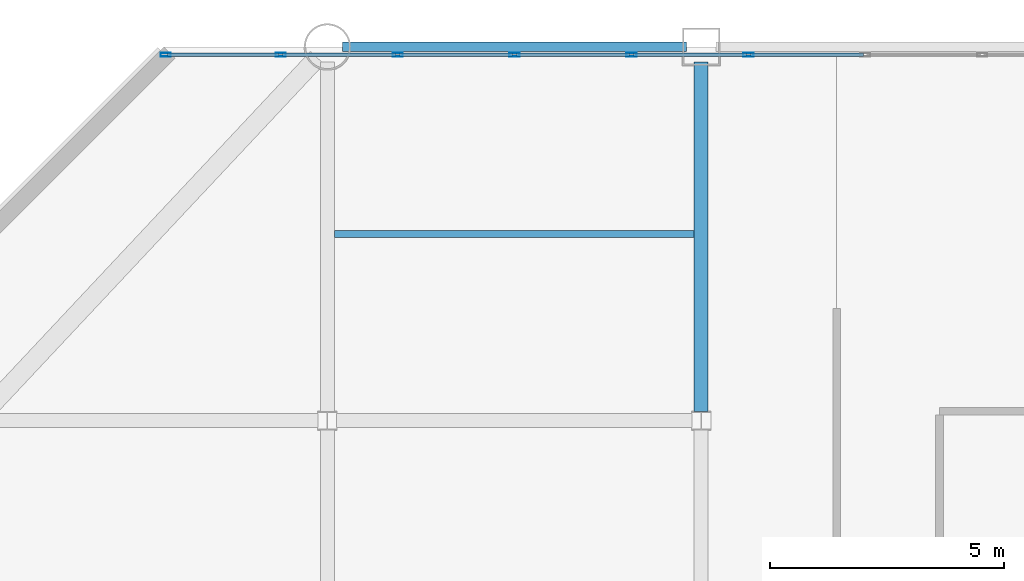
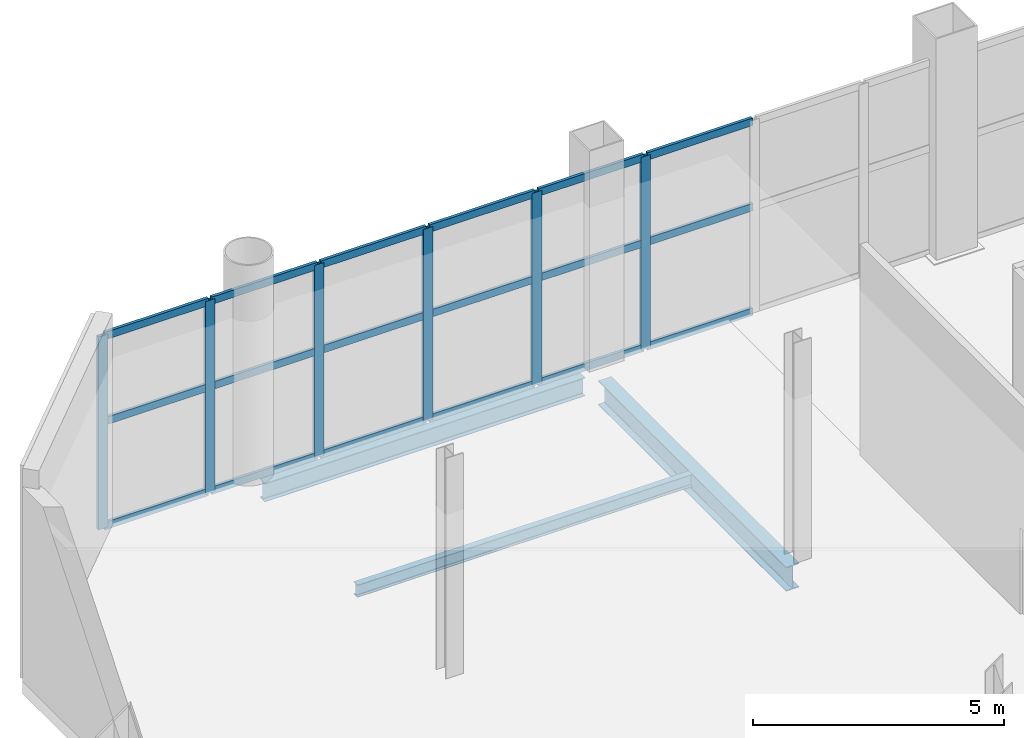
# One storey, part 14 of 21: 24 members, 3 beams, 1 element without a shape of its own.
"""IFC4 building model written with IfcOpenShell, lengths in metres."""

from ifc_helpers import new_model, si_unit, direction, frame, origin, origin_2d, place, context, subcontext, project, spatial, hollow_rectangle, i_section, extrude, material, layer, layer_set, material_profile, profile_set, type_object, element, aggregate, save


model = new_model("IFC4")

# Units and contexts
model_context = context("Model", 3, precision=1e-05, world=origin(), true_north=direction((0.0, 1.0)))
body_context = subcontext(model_context, "Body", "Model", "MODEL_VIEW")
ifc_project = project(units=[si_unit("LENGTHUNIT", "METRE"), si_unit("AREAUNIT", "SQUARE_METRE"), si_unit("VOLUMEUNIT", "CUBIC_METRE"), si_unit("PLANEANGLEUNIT", "RADIAN"), si_unit("MASSUNIT", "GRAM", prefix="KILO")], contexts=[model_context])

# Site, building, storey
site_placement = place(None, origin())
site = spatial("IfcSite", under=ifc_project, at=site_placement, CompositionType="ELEMENT")
building_placement = place(site_placement, origin())
building = spatial("IfcBuilding", under=site, at=building_placement, Name="Qianrong Seaharbour Tower", CompositionType="ELEMENT")
storey_placement = place(building_placement, frame((0.0, 0.0, 200.39990234375)))
storey = spatial("IfcBuildingStorey", under=building, at=storey_placement, Name="L48", CompositionType="ELEMENT", Elevation=200.39990234375)

# Beams
ifc_material_1 = material(Name="Structural steel SN490B", Category="steel")
ifc_material_profile_1 = material_profile(ifc_material_1, i_section(OverallWidth=0.300048828125, OverallDepth=0.587890625, WebThickness=0.011962890625, FlangeThickness=0.02001953125, FilletRadius=0.02392578125, at=origin_2d()), Name="H588x300x12x20")
ifc_profile_set_1 = profile_set([ifc_material_profile_1], Name="Structural steel SN490B")
beam_type_1 = type_object("IfcBeamType", Name="BM-G-588", PredefinedType="BEAM", material=ifc_profile_set_1)
beam_1_placement = place(storey_placement, frame((24.5, 44.199951171875, -0.593994140625), z_axis=(0.0, 1.0, 0.0), x_axis=(-1.0, 0.0, 0.0)))
element("IfcBeam", 1, at=beam_1_placement, inside=storey, type_object=beam_type_1, Name="L48 Primary Girder G4 GG-GH", PredefinedType="BEAM", context=body_context, shape_type="SweptSolid", body=[
    extrude(i_section(OverallWidth=0.300048828125, OverallDepth=0.587890625, WebThickness=0.011962890625, FlangeThickness=0.02001953125, FilletRadius=0.02392578125, at=origin_2d()), origin(), (0.0, 0.0, 1.0), 7.47998046875),
])
ifc_material_2 = material(Name="Structural steel SN400B", Category="steel")
ifc_material_profile_2 = material_profile(ifc_material_2, i_section(OverallWidth=0.14990234375, OverallDepth=0.300048828125, WebThickness=0.006591796875, FlangeThickness=0.009033203125, FilletRadius=0.012939453125, at=origin_2d()), Name="H300x150x6.5x9")
ifc_profile_set_2 = profile_set([ifc_material_profile_2], Name="Structural steel SN400B")
beam_type_2 = type_object("IfcBeamType", Name="BM-J-300", PredefinedType="JOIST", material=ifc_profile_set_2)
beam_2_placement = place(storey_placement, frame((16.64990234375, 48.0, -0.449951171875), z_axis=(1.0, 0.0, 0.0), x_axis=(0.0, 1.0, 0.0)))
element("IfcBeam", 2, at=beam_2_placement, inside=storey, type_object=beam_type_2, Name="L48 Composite Floor Joist G3-G4/GG-GH", PredefinedType="JOIST", context=body_context, shape_type="SweptSolid", body=[
    extrude(i_section(OverallWidth=0.14990234375, OverallDepth=0.300048828125, WebThickness=0.006591796875, FlangeThickness=0.009033203125, FilletRadius=0.012939453125, at=origin_2d()), origin(), (0.0, 0.0, 1.0), 7.7001953125),
])
ifc_material_profile_3 = material_profile(ifc_material_2, i_section(OverallWidth=0.199951171875, OverallDepth=0.449951171875, WebThickness=0.009033203125, FlangeThickness=0.013916015625, FilletRadius=0.01806640625, at=origin_2d()), Name="H450x200x9x14")
ifc_profile_set_3 = profile_set([ifc_material_profile_3], Name="Structural steel SN400B")
beam_type_3 = type_object("IfcBeamType", Name="BM-SP-450", PredefinedType="SPANDREL", material=ifc_profile_set_3)
beam_3_placement = place(storey_placement, frame((16.820068359375, 52.0, -0.52490234375), z_axis=(1.0, 0.0, 0.0), x_axis=(0.0, 1.0, 0.0)))
element("IfcBeam", 3, at=beam_3_placement, inside=storey, type_object=beam_type_3, Name="L48 Spandrel Girder GH G3-G4", PredefinedType="SPANDREL", context=body_context, shape_type="SweptSolid", body=[
    extrude(i_section(OverallWidth=0.199951171875, OverallDepth=0.449951171875, WebThickness=0.009033203125, FlangeThickness=0.013916015625, FilletRadius=0.01806640625, at=origin_2d()), origin(), (0.0, 0.0, 1.0), 7.35986328125),
])

# Curtain wall, members
ifc_material_3 = material(Name="Anodised aluminium 6063-T6 and laminated low-e glass", Category="aluminium")
ifc_layer = layer(ifc_material_3, 0.2099609375)
ifc_layer_set = layer_set([ifc_layer], Name="Anodised aluminium 6063-T6 and laminated low-e glass")
curtain_wall_type = type_object("IfcCurtainWallType", Name="CW-SYS-2", PredefinedType="NOTDEFINED", material=ifc_layer_set)
curtain_wall_placement = place(storey_placement, origin())
curtain_wall = element("IfcCurtainWall", 4, at=curtain_wall_placement, inside=storey, type_object=curtain_wall_type, Name="L48 Sky-Lobby Feature Curtain Wall NORTH_WING", PredefinedType="NOTDEFINED")
ifc_material_4 = material(Name="Extruded aluminium 6063-T6", Category="aluminium")
ifc_material_profile_4 = material_profile(ifc_material_4, hollow_rectangle(XDim=0.080078125, YDim=0.219970703125, WallThickness=0.0048828125, at=origin_2d()), Name="ALU-MUL-220x80x5")
ifc_profile_set_4 = profile_set([ifc_material_profile_4], Name="Extruded aluminium 6063-T6")
member_type_1 = type_object("IfcMemberType", Name="CW-MUL-220", PredefinedType="MULLION", material=ifc_profile_set_4)
member_1_placement = place(storey_placement, frame((13.0400390625, 51.830078125, 0.0), z_axis=(0.0, 0.0, 1.0), x_axis=(0.0, 1.0, 0.0)))
member_1 = element("IfcMember", 5, at=member_1_placement, type_object=member_type_1, Name="CW-2 mullion 1", PredefinedType="MULLION", context=body_context, shape_type="SweptSolid", body=[
    extrude(hollow_rectangle(XDim=0.080078125, YDim=0.219970703125, WallThickness=0.0048828125, at=origin_2d()), origin(), (0.0, 0.0, 1.0), 4.68505859375),
])
member_2_placement = place(storey_placement, frame((15.501708984375, 51.830078125, 0.0), z_axis=(0.0, 0.0, 1.0), x_axis=(0.0, 1.0, 0.0)))
member_2 = element("IfcMember", 6, at=member_2_placement, type_object=member_type_1, Name="CW-2 mullion 2", PredefinedType="MULLION", context=body_context, shape_type="SweptSolid", body=[
    extrude(hollow_rectangle(XDim=0.080078125, YDim=0.219970703125, WallThickness=0.0048828125, at=origin_2d()), origin(), (0.0, 0.0, 1.0), 4.68505859375),
])
member_3_placement = place(storey_placement, frame((18.003662109375, 51.830078125, 0.0), z_axis=(0.0, 0.0, 1.0), x_axis=(0.0, 1.0, 0.0)))
member_3 = element("IfcMember", 7, at=member_3_placement, type_object=member_type_1, Name="CW-2 mullion 3", PredefinedType="MULLION", context=body_context, shape_type="SweptSolid", body=[
    extrude(hollow_rectangle(XDim=0.080078125, YDim=0.219970703125, WallThickness=0.0048828125, at=origin_2d()), origin(), (0.0, 0.0, 1.0), 4.68505859375),
])
member_4_placement = place(storey_placement, frame((20.50537109375, 51.830078125, 0.0), z_axis=(0.0, 0.0, 1.0), x_axis=(0.0, 1.0, 0.0)))
member_4 = element("IfcMember", 8, at=member_4_placement, type_object=member_type_1, Name="CW-2 mullion 4", PredefinedType="MULLION", context=body_context, shape_type="SweptSolid", body=[
    extrude(hollow_rectangle(XDim=0.080078125, YDim=0.219970703125, WallThickness=0.0048828125, at=origin_2d()), origin(), (0.0, 0.0, 1.0), 4.68505859375),
])
member_5_placement = place(storey_placement, frame((23.00732421875, 51.830078125, 0.0), z_axis=(0.0, 0.0, 1.0), x_axis=(0.0, 1.0, 0.0)))
member_5 = element("IfcMember", 9, at=member_5_placement, type_object=member_type_1, Name="CW-2 mullion 5", PredefinedType="MULLION", context=body_context, shape_type="SweptSolid", body=[
    extrude(hollow_rectangle(XDim=0.080078125, YDim=0.219970703125, WallThickness=0.0048828125, at=origin_2d()), origin(), (0.0, 0.0, 1.0), 4.68505859375),
])
member_6_placement = place(storey_placement, frame((25.509033203125, 51.830078125, 0.0), z_axis=(0.0, 0.0, 1.0), x_axis=(0.0, 1.0, 0.0)))
member_6 = element("IfcMember", 10, at=member_6_placement, type_object=member_type_1, Name="CW-2 mullion 6", PredefinedType="MULLION", context=body_context, shape_type="SweptSolid", body=[
    extrude(hollow_rectangle(XDim=0.080078125, YDim=0.219970703125, WallThickness=0.0048828125, at=origin_2d()), origin(), (0.0, 0.0, 1.0), 4.68505859375),
])
ifc_material_profile_5 = material_profile(ifc_material_4, hollow_rectangle(XDim=0.070068359375, YDim=0.179931640625, WallThickness=0.00390625, at=origin_2d()), Name="ALU-TRN-180x70x4")
ifc_profile_set_5 = profile_set([ifc_material_profile_5], Name="Extruded aluminium 6063-T6")
member_type_2 = type_object("IfcMemberType", Name="CW-TRN-180", PredefinedType="USERDEFINED", material=ifc_profile_set_5)
member_7_placement = place(storey_placement, frame((13.080078125, 51.830078125, 0.03515625), z_axis=(1.0, 0.0, 0.0), x_axis=(0.0, 1.0, 0.0)))
member_7 = element("IfcMember", 11, at=member_7_placement, type_object=member_type_2, Name="CW-2 transom 1.1", ObjectType="TRANSOM", PredefinedType="USERDEFINED", context=body_context, shape_type="SweptSolid", body=[
    extrude(hollow_rectangle(XDim=0.070068359375, YDim=0.179931640625, WallThickness=0.00390625, at=origin_2d()), origin(), (0.0, 0.0, 1.0), 2.3818359375),
])
member_8_placement = place(storey_placement, frame((13.080078125, 51.830078125, 2.576904296875), z_axis=(1.0, 0.0, 0.0), x_axis=(0.0, 1.0, 0.0)))
member_8 = element("IfcMember", 12, at=member_8_placement, type_object=member_type_2, Name="CW-2 transom 1.2", ObjectType="TRANSOM", PredefinedType="USERDEFINED", context=body_context, shape_type="SweptSolid", body=[
    extrude(hollow_rectangle(XDim=0.070068359375, YDim=0.179931640625, WallThickness=0.00390625, at=origin_2d()), origin(), (0.0, 0.0, 1.0), 2.3818359375),
])
member_9_placement = place(storey_placement, frame((13.080078125, 51.830078125, 4.650146484375), z_axis=(1.0, 0.0, 0.0), x_axis=(0.0, 1.0, 0.0)))
member_9 = element("IfcMember", 13, at=member_9_placement, type_object=member_type_2, Name="CW-2 transom 1.3", ObjectType="TRANSOM", PredefinedType="USERDEFINED", context=body_context, shape_type="SweptSolid", body=[
    extrude(hollow_rectangle(XDim=0.070068359375, YDim=0.179931640625, WallThickness=0.00390625, at=origin_2d()), origin(), (0.0, 0.0, 1.0), 2.3818359375),
])
member_10_placement = place(storey_placement, frame((15.541748046875, 51.830078125, 0.03515625), z_axis=(1.0, 0.0, 0.0), x_axis=(0.0, 1.0, 0.0)))
member_10 = element("IfcMember", 14, at=member_10_placement, type_object=member_type_2, Name="CW-2 transom 2.1", ObjectType="TRANSOM", PredefinedType="USERDEFINED", context=body_context, shape_type="SweptSolid", body=[
    extrude(hollow_rectangle(XDim=0.070068359375, YDim=0.179931640625, WallThickness=0.00390625, at=origin_2d()), origin(), (0.0, 0.0, 1.0), 2.421875),
])
member_11_placement = place(storey_placement, frame((15.541748046875, 51.830078125, 2.576904296875), z_axis=(1.0, 0.0, 0.0), x_axis=(0.0, 1.0, 0.0)))
member_11 = element("IfcMember", 15, at=member_11_placement, type_object=member_type_2, Name="CW-2 transom 2.2", ObjectType="TRANSOM", PredefinedType="USERDEFINED", context=body_context, shape_type="SweptSolid", body=[
    extrude(hollow_rectangle(XDim=0.070068359375, YDim=0.179931640625, WallThickness=0.00390625, at=origin_2d()), origin(), (0.0, 0.0, 1.0), 2.421875),
])
member_12_placement = place(storey_placement, frame((15.541748046875, 51.830078125, 4.650146484375), z_axis=(1.0, 0.0, 0.0), x_axis=(0.0, 1.0, 0.0)))
member_12 = element("IfcMember", 16, at=member_12_placement, type_object=member_type_2, Name="CW-2 transom 2.3", ObjectType="TRANSOM", PredefinedType="USERDEFINED", context=body_context, shape_type="SweptSolid", body=[
    extrude(hollow_rectangle(XDim=0.070068359375, YDim=0.179931640625, WallThickness=0.00390625, at=origin_2d()), origin(), (0.0, 0.0, 1.0), 2.421875),
])
member_13_placement = place(storey_placement, frame((18.043701171875, 51.830078125, 0.03515625), z_axis=(1.0, 0.0, 0.0), x_axis=(0.0, 1.0, 0.0)))
member_13 = element("IfcMember", 17, at=member_13_placement, type_object=member_type_2, Name="CW-2 transom 3.1", ObjectType="TRANSOM", PredefinedType="USERDEFINED", context=body_context, shape_type="SweptSolid", body=[
    extrude(hollow_rectangle(XDim=0.070068359375, YDim=0.179931640625, WallThickness=0.00390625, at=origin_2d()), origin(), (0.0, 0.0, 1.0), 2.421875),
])
member_14_placement = place(storey_placement, frame((18.043701171875, 51.830078125, 2.576904296875), z_axis=(1.0, 0.0, 0.0), x_axis=(0.0, 1.0, 0.0)))
member_14 = element("IfcMember", 18, at=member_14_placement, type_object=member_type_2, Name="CW-2 transom 3.2", ObjectType="TRANSOM", PredefinedType="USERDEFINED", context=body_context, shape_type="SweptSolid", body=[
    extrude(hollow_rectangle(XDim=0.070068359375, YDim=0.179931640625, WallThickness=0.00390625, at=origin_2d()), origin(), (0.0, 0.0, 1.0), 2.421875),
])
member_15_placement = place(storey_placement, frame((18.043701171875, 51.830078125, 4.650146484375), z_axis=(1.0, 0.0, 0.0), x_axis=(0.0, 1.0, 0.0)))
member_15 = element("IfcMember", 19, at=member_15_placement, type_object=member_type_2, Name="CW-2 transom 3.3", ObjectType="TRANSOM", PredefinedType="USERDEFINED", context=body_context, shape_type="SweptSolid", body=[
    extrude(hollow_rectangle(XDim=0.070068359375, YDim=0.179931640625, WallThickness=0.00390625, at=origin_2d()), origin(), (0.0, 0.0, 1.0), 2.421875),
])
member_16_placement = place(storey_placement, frame((20.54541015625, 51.830078125, 0.03515625), z_axis=(1.0, 0.0, 0.0), x_axis=(0.0, 1.0, 0.0)))
member_16 = element("IfcMember", 20, at=member_16_placement, type_object=member_type_2, Name="CW-2 transom 4.1", ObjectType="TRANSOM", PredefinedType="USERDEFINED", context=body_context, shape_type="SweptSolid", body=[
    extrude(hollow_rectangle(XDim=0.070068359375, YDim=0.179931640625, WallThickness=0.00390625, at=origin_2d()), origin(), (0.0, 0.0, 1.0), 2.421875),
])
member_17_placement = place(storey_placement, frame((20.54541015625, 51.830078125, 2.576904296875), z_axis=(1.0, 0.0, 0.0), x_axis=(0.0, 1.0, 0.0)))
member_17 = element("IfcMember", 21, at=member_17_placement, type_object=member_type_2, Name="CW-2 transom 4.2", ObjectType="TRANSOM", PredefinedType="USERDEFINED", context=body_context, shape_type="SweptSolid", body=[
    extrude(hollow_rectangle(XDim=0.070068359375, YDim=0.179931640625, WallThickness=0.00390625, at=origin_2d()), origin(), (0.0, 0.0, 1.0), 2.421875),
])
member_18_placement = place(storey_placement, frame((20.54541015625, 51.830078125, 4.650146484375), z_axis=(1.0, 0.0, 0.0), x_axis=(0.0, 1.0, 0.0)))
member_18 = element("IfcMember", 22, at=member_18_placement, type_object=member_type_2, Name="CW-2 transom 4.3", ObjectType="TRANSOM", PredefinedType="USERDEFINED", context=body_context, shape_type="SweptSolid", body=[
    extrude(hollow_rectangle(XDim=0.070068359375, YDim=0.179931640625, WallThickness=0.00390625, at=origin_2d()), origin(), (0.0, 0.0, 1.0), 2.421875),
])
member_19_placement = place(storey_placement, frame((23.04736328125, 51.830078125, 0.03515625), z_axis=(1.0, 0.0, 0.0), x_axis=(0.0, 1.0, 0.0)))
member_19 = element("IfcMember", 23, at=member_19_placement, type_object=member_type_2, Name="CW-2 transom 5.1", ObjectType="TRANSOM", PredefinedType="USERDEFINED", context=body_context, shape_type="SweptSolid", body=[
    extrude(hollow_rectangle(XDim=0.070068359375, YDim=0.179931640625, WallThickness=0.00390625, at=origin_2d()), origin(), (0.0, 0.0, 1.0), 2.421630859375),
])
member_20_placement = place(storey_placement, frame((23.04736328125, 51.830078125, 2.576904296875), z_axis=(1.0, 0.0, 0.0), x_axis=(0.0, 1.0, 0.0)))
member_20 = element("IfcMember", 24, at=member_20_placement, type_object=member_type_2, Name="CW-2 transom 5.2", ObjectType="TRANSOM", PredefinedType="USERDEFINED", context=body_context, shape_type="SweptSolid", body=[
    extrude(hollow_rectangle(XDim=0.070068359375, YDim=0.179931640625, WallThickness=0.00390625, at=origin_2d()), origin(), (0.0, 0.0, 1.0), 2.421630859375),
])
member_21_placement = place(storey_placement, frame((23.04736328125, 51.830078125, 4.650146484375), z_axis=(1.0, 0.0, 0.0), x_axis=(0.0, 1.0, 0.0)))
member_21 = element("IfcMember", 25, at=member_21_placement, type_object=member_type_2, Name="CW-2 transom 5.3", ObjectType="TRANSOM", PredefinedType="USERDEFINED", context=body_context, shape_type="SweptSolid", body=[
    extrude(hollow_rectangle(XDim=0.070068359375, YDim=0.179931640625, WallThickness=0.00390625, at=origin_2d()), origin(), (0.0, 0.0, 1.0), 2.421630859375),
])
member_22_placement = place(storey_placement, frame((25.549072265625, 51.830078125, 0.03515625), z_axis=(1.0, 0.0, 0.0), x_axis=(0.0, 1.0, 0.0)))
member_22 = element("IfcMember", 26, at=member_22_placement, type_object=member_type_2, Name="CW-2 transom 6.1", ObjectType="TRANSOM", PredefinedType="USERDEFINED", context=body_context, shape_type="SweptSolid", body=[
    extrude(hollow_rectangle(XDim=0.070068359375, YDim=0.179931640625, WallThickness=0.00390625, at=origin_2d()), origin(), (0.0, 0.0, 1.0), 2.421875),
])
member_23_placement = place(storey_placement, frame((25.549072265625, 51.830078125, 2.576904296875), z_axis=(1.0, 0.0, 0.0), x_axis=(0.0, 1.0, 0.0)))
member_23 = element("IfcMember", 27, at=member_23_placement, type_object=member_type_2, Name="CW-2 transom 6.2", ObjectType="TRANSOM", PredefinedType="USERDEFINED", context=body_context, shape_type="SweptSolid", body=[
    extrude(hollow_rectangle(XDim=0.070068359375, YDim=0.179931640625, WallThickness=0.00390625, at=origin_2d()), origin(), (0.0, 0.0, 1.0), 2.421875),
])
member_24_placement = place(storey_placement, frame((25.549072265625, 51.830078125, 4.650146484375), z_axis=(1.0, 0.0, 0.0), x_axis=(0.0, 1.0, 0.0)))
member_24 = element("IfcMember", 28, at=member_24_placement, type_object=member_type_2, Name="CW-2 transom 6.3", ObjectType="TRANSOM", PredefinedType="USERDEFINED", context=body_context, shape_type="SweptSolid", body=[
    extrude(hollow_rectangle(XDim=0.070068359375, YDim=0.179931640625, WallThickness=0.00390625, at=origin_2d()), origin(), (0.0, 0.0, 1.0), 2.421875),
])
aggregate(curtain_wall, [member_1, member_2, member_3, member_4, member_5, member_6, member_7, member_8, member_9, member_10, member_11, member_12, member_13, member_14, member_15, member_16, member_17, member_18, member_19, member_20, member_21, member_22, member_23, member_24])

save(model, "model.ifc")
